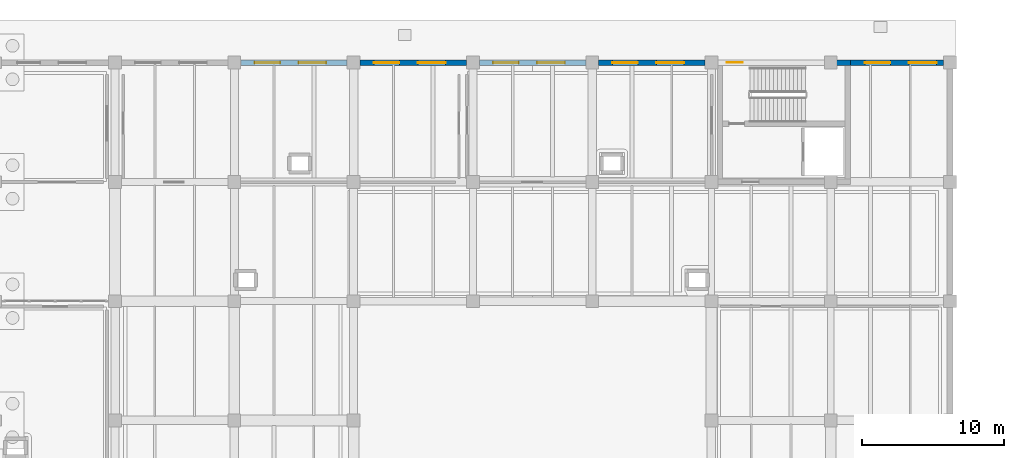
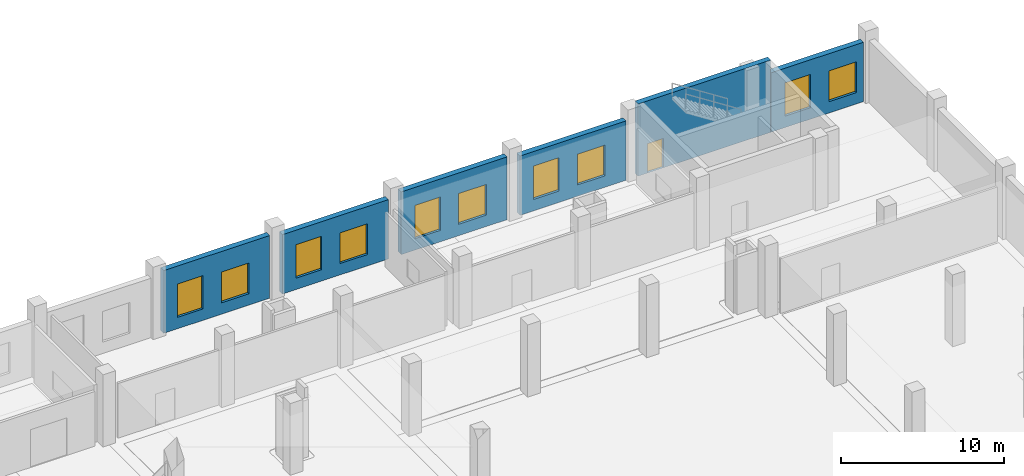
# One storey, part 49 of 65: 10 windows, 6 walls, 1 door, 11 openings.
"""IFC4 building model written with IfcOpenShell, lengths in metres."""

from ifc_helpers import new_model, si_unit, direction, frame, frame_2d, origin, place, context, subcontext, project, spatial, rectangle, extrude, material, layer, layer_set, type_object, element, fill, save


model = new_model("IFC4")

# Units and contexts
model_context = context("Model", 3, precision=1e-05, world=origin(), true_north=direction((0.0, 1.0)))
body_context = subcontext(model_context, "Body", "Model", "MODEL_VIEW")
ifc_project = project(units=[si_unit("LENGTHUNIT", "METRE"), si_unit("AREAUNIT", "SQUARE_METRE"), si_unit("VOLUMEUNIT", "CUBIC_METRE"), si_unit("PLANEANGLEUNIT", "RADIAN"), si_unit("MASSUNIT", "GRAM", prefix="KILO")], contexts=[model_context])

# Site, building, storey
site_placement = place(None, origin())
site = spatial("IfcSite", under=ifc_project, at=site_placement, CompositionType="ELEMENT")
building_placement = place(site_placement, origin())
building = spatial("IfcBuilding", under=site, at=building_placement, Name="Zulmaris Art Gallery", CompositionType="ELEMENT")
storey_placement = place(building_placement, origin())
storey = spatial("IfcBuildingStorey", under=building, at=storey_placement, Name="L00", CompositionType="ELEMENT", Elevation=0.0)

# Wall, openings, windows
ifc_material_1 = material(Name="Omani Desert Rose Limestone Cladding Wall", Category="masonry")
ifc_layer_1 = layer(ifc_material_1, 0.389892578125)
ifc_layer_set_1 = layer_set([ifc_layer_1], Name="Omani Desert Rose Limestone Cladding Wall")
wall_type_1 = type_object("IfcWallType", Name="ENV-WALL-EW02", PredefinedType="SOLIDWALL", material=ifc_layer_set_1)
wall_1_placement = place(storey_placement, frame((150.451904296875, 75.60009765625, 0.0), z_axis=(0.0, 0.0, 1.0), x_axis=(1.0, 0.0, 0.0)))
wall_1 = element("IfcWall", 1, at=wall_1_placement, inside=storey, type_object=wall_type_1, Name="L00 V5 North Studio Daylight Facade Bay 2", PredefinedType="SOLIDWALL", context=body_context, shape_type="SweptSolid", body=[
    extrude(rectangle(XDim=7.49609375, YDim=0.389892578125, at=frame_2d((3.748046875, 0.0))), origin(), (0.0, 0.0, 1.0), 4.68994140625),
])
opening_1_placement = place(wall_1_placement, frame((0.968017578125, 0.0, 0.85009765625)))
opening_1 = element("IfcOpeningElement", 2, at=opening_1_placement, cuts=wall_1, Name="Opening W02", PredefinedType="OPENING", context=body_context, shape_type="SweptSolid", body=[
    extrude(rectangle(XDim=1.800048828125, YDim=2.5, at=frame_2d((0.89990234375, 1.25))), frame((0.0, 0.204833984375, 0.0), z_axis=(0.0, -1.0, 0.0), x_axis=(1.0, 0.0, 0.0)), (0.0, 0.0, 1.0), 0.409912109375),
])
opening_2_placement = place(wall_1_placement, frame((4.068115234375, 0.0, 0.85009765625)))
opening_2 = element("IfcOpeningElement", 3, at=opening_2_placement, cuts=wall_1, Name="Opening W08", PredefinedType="OPENING", context=body_context, shape_type="SweptSolid", body=[
    extrude(rectangle(XDim=1.949951171875, YDim=2.300048828125, at=frame_2d((0.97509765625, 1.14990234375))), frame((0.0, 0.204833984375, 0.0), z_axis=(0.0, -1.0, 0.0), x_axis=(1.0, 0.0, 0.0)), (0.0, 0.0, 1.0), 0.409912109375),
])
ifc_material_2 = material(Name="Double-Glazed Solar-Control Low-E Window", Category="glass")
window_type_1 = type_object("IfcWindowType", Name="WIN-W02", PartitioningType="SINGLE_PANEL", PredefinedType="WINDOW", material=ifc_material_2)
window_1_placement = place(opening_1_placement, origin())
window_1 = element("IfcWindow", 4, at=window_1_placement, inside=storey, type_object=window_type_1, Name="L00 exterior window W02", OverallHeight=2.5, OverallWidth=1.800048828125, PartitioningType="SINGLE_PANEL", PredefinedType="WINDOW", context=body_context, shape_type="SweptSolid", body=[
    extrude(rectangle(XDim=1.800048828125, YDim=2.5, at=frame_2d((0.89990234375, 1.25))), frame((0.0, 0.030029296875, 0.0), z_axis=(0.0, -1.0, 0.0), x_axis=(1.0, 0.0, 0.0)), (0.0, 0.0, 1.0), 0.06005859375),
])
fill(opening_1, window_1)
ifc_material_3 = material(Name="Curatorial North Studio Window", Category="glass")
window_type_2 = type_object("IfcWindowType", Name="WIN-W08", PartitioningType="SINGLE_PANEL", PredefinedType="WINDOW", material=ifc_material_3)
window_2_placement = place(opening_2_placement, origin())
window_2 = element("IfcWindow", 5, at=window_2_placement, inside=storey, type_object=window_type_2, Name="L00 exterior window W08", OverallHeight=2.300048828125, OverallWidth=1.949951171875, PartitioningType="SINGLE_PANEL", PredefinedType="WINDOW", context=body_context, shape_type="SweptSolid", body=[
    extrude(rectangle(XDim=1.949951171875, YDim=2.300048828125, at=frame_2d((0.97509765625, 1.14990234375))), frame((0.0, 0.030029296875, 0.0), z_axis=(0.0, -1.0, 0.0), x_axis=(1.0, 0.0, 0.0)), (0.0, 0.0, 1.0), 0.06005859375),
])
fill(opening_2, window_2)

wall_2_placement = place(storey_placement, frame((158.85205078125, 75.60009765625, 0.0), z_axis=(0.0, 0.0, 1.0), x_axis=(1.0, 0.0, 0.0)))
wall_2 = element("IfcWall", 6, at=wall_2_placement, inside=storey, type_object=wall_type_1, Name="L00 V5 North Studio Daylight Facade Bay 3", PredefinedType="SOLIDWALL", context=body_context, shape_type="SweptSolid", body=[
    extrude(rectangle(XDim=7.495849609375, YDim=0.389892578125, at=frame_2d((3.748046875, 0.0))), origin(), (0.0, 0.0, 1.0), 4.43994140625),
])
opening_3_placement = place(wall_2_placement, frame((0.968017578125, 0.0, 0.85009765625)))
opening_3 = element("IfcOpeningElement", 7, at=opening_3_placement, cuts=wall_2, Name="Opening W02", PredefinedType="OPENING", context=body_context, shape_type="SweptSolid", body=[
    extrude(rectangle(XDim=1.800048828125, YDim=2.5, at=frame_2d((0.89990234375, 1.25))), frame((0.0, 0.204833984375, 0.0), z_axis=(0.0, -1.0, 0.0), x_axis=(1.0, 0.0, 0.0)), (0.0, 0.0, 1.0), 0.409912109375),
])
opening_4_placement = place(wall_2_placement, frame((4.068115234375, 0.0, 0.85009765625)))
opening_4 = element("IfcOpeningElement", 8, at=opening_4_placement, cuts=wall_2, Name="Opening W08", PredefinedType="OPENING", context=body_context, shape_type="SweptSolid", body=[
    extrude(rectangle(XDim=1.949951171875, YDim=2.300048828125, at=frame_2d((0.97509765625, 1.14990234375))), frame((0.0, 0.204833984375, 0.0), z_axis=(0.0, -1.0, 0.0), x_axis=(1.0, 0.0, 0.0)), (0.0, 0.0, 1.0), 0.409912109375),
])
window_3_placement = place(opening_3_placement, origin())
window_3 = element("IfcWindow", 9, at=window_3_placement, inside=storey, type_object=window_type_1, Name="L00 exterior window W02", OverallHeight=2.5, OverallWidth=1.800048828125, PartitioningType="SINGLE_PANEL", PredefinedType="WINDOW", context=body_context, shape_type="SweptSolid", body=[
    extrude(rectangle(XDim=1.800048828125, YDim=2.5, at=frame_2d((0.89990234375, 1.25))), frame((0.0, 0.030029296875, 0.0), z_axis=(0.0, -1.0, 0.0), x_axis=(1.0, 0.0, 0.0)), (0.0, 0.0, 1.0), 0.06005859375),
])
fill(opening_3, window_3)
window_4_placement = place(opening_4_placement, origin())
window_4 = element("IfcWindow", 10, at=window_4_placement, inside=storey, type_object=window_type_2, Name="L00 exterior window W08", OverallHeight=2.300048828125, OverallWidth=1.949951171875, PartitioningType="SINGLE_PANEL", PredefinedType="WINDOW", context=body_context, shape_type="SweptSolid", body=[
    extrude(rectangle(XDim=1.949951171875, YDim=2.300048828125, at=frame_2d((0.97509765625, 1.14990234375))), frame((0.0, 0.030029296875, 0.0), z_axis=(0.0, -1.0, 0.0), x_axis=(1.0, 0.0, 0.0)), (0.0, 0.0, 1.0), 0.06005859375),
])
fill(opening_4, window_4)

wall_3_placement = place(storey_placement, frame((167.251953125, 75.60009765625, 0.0), z_axis=(0.0, 0.0, 1.0), x_axis=(1.0, 0.0, 0.0)))
wall_3 = element("IfcWall", 11, at=wall_3_placement, inside=storey, type_object=wall_type_1, Name="L00 V5 North Studio Daylight Facade Bay 4", PredefinedType="SOLIDWALL", context=body_context, shape_type="SweptSolid", body=[
    extrude(rectangle(XDim=7.49609375, YDim=0.389892578125, at=frame_2d((3.748046875, 0.0))), origin(), (0.0, 0.0, 1.0), 4.68994140625),
])
opening_5_placement = place(wall_3_placement, frame((0.968017578125, 0.0, 0.85009765625)))
opening_5 = element("IfcOpeningElement", 12, at=opening_5_placement, cuts=wall_3, Name="Opening W02", PredefinedType="OPENING", context=body_context, shape_type="SweptSolid", body=[
    extrude(rectangle(XDim=1.800048828125, YDim=2.5, at=frame_2d((0.89990234375, 1.25))), frame((0.0, 0.204833984375, 0.0), z_axis=(0.0, -1.0, 0.0), x_axis=(1.0, 0.0, 0.0)), (0.0, 0.0, 1.0), 0.409912109375),
])
opening_6_placement = place(wall_3_placement, frame((4.068115234375, 0.0, 0.85009765625)))
opening_6 = element("IfcOpeningElement", 13, at=opening_6_placement, cuts=wall_3, Name="Opening W08", PredefinedType="OPENING", context=body_context, shape_type="SweptSolid", body=[
    extrude(rectangle(XDim=1.949951171875, YDim=2.300048828125, at=frame_2d((0.97509765625, 1.14990234375))), frame((0.0, 0.204833984375, 0.0), z_axis=(0.0, -1.0, 0.0), x_axis=(1.0, 0.0, 0.0)), (0.0, 0.0, 1.0), 0.409912109375),
])
window_5_placement = place(opening_5_placement, origin())
window_5 = element("IfcWindow", 14, at=window_5_placement, inside=storey, type_object=window_type_1, Name="L00 exterior window W02", OverallHeight=2.5, OverallWidth=1.800048828125, PartitioningType="SINGLE_PANEL", PredefinedType="WINDOW", context=body_context, shape_type="SweptSolid", body=[
    extrude(rectangle(XDim=1.800048828125, YDim=2.5, at=frame_2d((0.89990234375, 1.25))), frame((0.0, 0.030029296875, 0.0), z_axis=(0.0, -1.0, 0.0), x_axis=(1.0, 0.0, 0.0)), (0.0, 0.0, 1.0), 0.06005859375),
])
fill(opening_5, window_5)
window_6_placement = place(opening_6_placement, origin())
window_6 = element("IfcWindow", 15, at=window_6_placement, inside=storey, type_object=window_type_2, Name="L00 exterior window W08", OverallHeight=2.300048828125, OverallWidth=1.949951171875, PartitioningType="SINGLE_PANEL", PredefinedType="WINDOW", context=body_context, shape_type="SweptSolid", body=[
    extrude(rectangle(XDim=1.949951171875, YDim=2.300048828125, at=frame_2d((0.97509765625, 1.14990234375))), frame((0.0, 0.030029296875, 0.0), z_axis=(0.0, -1.0, 0.0), x_axis=(1.0, 0.0, 0.0)), (0.0, 0.0, 1.0), 0.06005859375),
])
fill(opening_6, window_6)

wall_4_placement = place(storey_placement, frame((175.652099609375, 75.60009765625, 0.0), z_axis=(0.0, 0.0, 1.0), x_axis=(1.0, 0.0, 0.0)))
wall_4 = element("IfcWall", 16, at=wall_4_placement, inside=storey, type_object=wall_type_1, Name="L00 V5 North Studio Daylight Facade Bay 5", PredefinedType="SOLIDWALL", context=body_context, shape_type="SweptSolid", body=[
    extrude(rectangle(XDim=7.495849609375, YDim=0.389892578125, at=frame_2d((3.748046875, 0.0))), origin(), (0.0, 0.0, 1.0), 4.43994140625),
])
opening_7_placement = place(wall_4_placement, frame((0.968017578125, 0.0, 0.85009765625)))
opening_7 = element("IfcOpeningElement", 17, at=opening_7_placement, cuts=wall_4, Name="Opening W02", PredefinedType="OPENING", context=body_context, shape_type="SweptSolid", body=[
    extrude(rectangle(XDim=1.800048828125, YDim=2.5, at=frame_2d((0.89990234375, 1.25))), frame((0.0, 0.204833984375, 0.0), z_axis=(0.0, -1.0, 0.0), x_axis=(1.0, 0.0, 0.0)), (0.0, 0.0, 1.0), 0.409912109375),
])
opening_8_placement = place(wall_4_placement, frame((4.068115234375, 0.0, 0.85009765625)))
opening_8 = element("IfcOpeningElement", 18, at=opening_8_placement, cuts=wall_4, Name="Opening W08", PredefinedType="OPENING", context=body_context, shape_type="SweptSolid", body=[
    extrude(rectangle(XDim=1.949951171875, YDim=2.300048828125, at=frame_2d((0.97509765625, 1.14990234375))), frame((0.0, 0.204833984375, 0.0), z_axis=(0.0, -1.0, 0.0), x_axis=(1.0, 0.0, 0.0)), (0.0, 0.0, 1.0), 0.409912109375),
])
window_7_placement = place(opening_7_placement, origin())
window_7 = element("IfcWindow", 19, at=window_7_placement, inside=storey, type_object=window_type_1, Name="L00 exterior window W02", OverallHeight=2.5, OverallWidth=1.800048828125, PartitioningType="SINGLE_PANEL", PredefinedType="WINDOW", context=body_context, shape_type="SweptSolid", body=[
    extrude(rectangle(XDim=1.800048828125, YDim=2.5, at=frame_2d((0.89990234375, 1.25))), frame((0.0, 0.030029296875, 0.0), z_axis=(0.0, -1.0, 0.0), x_axis=(1.0, 0.0, 0.0)), (0.0, 0.0, 1.0), 0.06005859375),
])
fill(opening_7, window_7)
window_8_placement = place(opening_8_placement, origin())
window_8 = element("IfcWindow", 20, at=window_8_placement, inside=storey, type_object=window_type_2, Name="L00 exterior window W08", OverallHeight=2.300048828125, OverallWidth=1.949951171875, PartitioningType="SINGLE_PANEL", PredefinedType="WINDOW", context=body_context, shape_type="SweptSolid", body=[
    extrude(rectangle(XDim=1.949951171875, YDim=2.300048828125, at=frame_2d((0.97509765625, 1.14990234375))), frame((0.0, 0.030029296875, 0.0), z_axis=(0.0, -1.0, 0.0), x_axis=(1.0, 0.0, 0.0)), (0.0, 0.0, 1.0), 0.06005859375),
])
fill(opening_8, window_8)

wall_5_placement = place(storey_placement, frame((193.39208984375, 75.60009765625, 0.0), z_axis=(0.0, 0.0, 1.0), x_axis=(1.0, 0.0, 0.0)))
wall_5 = element("IfcWall", 21, at=wall_5_placement, inside=storey, type_object=wall_type_1, Name="L00 V5 North Studio Daylight Facade Bay 7", PredefinedType="SOLIDWALL", context=body_context, shape_type="SweptSolid", body=[
    extrude(rectangle(XDim=6.555908203125, YDim=0.389892578125, at=frame_2d((3.27783203125, 0.0))), origin(), (0.0, 0.0, 1.0), 4.43994140625),
])
opening_9_placement = place(wall_5_placement, frame((1.008056640625, 0.0, 0.85009765625)))
opening_9 = element("IfcOpeningElement", 22, at=opening_9_placement, cuts=wall_5, Name="Opening W02", PredefinedType="OPENING", context=body_context, shape_type="SweptSolid", body=[
    extrude(rectangle(XDim=1.800048828125, YDim=2.5, at=frame_2d((0.89990234375, 1.25))), frame((0.0, 0.204833984375, 0.0), z_axis=(0.0, -1.0, 0.0), x_axis=(1.0, 0.0, 0.0)), (0.0, 0.0, 1.0), 0.409912109375),
])
opening_10_placement = place(wall_5_placement, frame((4.10791015625, 0.0, 0.85009765625)))
opening_10 = element("IfcOpeningElement", 23, at=opening_10_placement, cuts=wall_5, Name="Opening W08", PredefinedType="OPENING", context=body_context, shape_type="SweptSolid", body=[
    extrude(rectangle(XDim=1.949951171875, YDim=2.300048828125, at=frame_2d((0.97509765625, 1.14990234375))), frame((0.0, 0.204833984375, 0.0), z_axis=(0.0, -1.0, 0.0), x_axis=(1.0, 0.0, 0.0)), (0.0, 0.0, 1.0), 0.409912109375),
])
window_9_placement = place(opening_9_placement, origin())
window_9 = element("IfcWindow", 24, at=window_9_placement, inside=storey, type_object=window_type_1, Name="L00 exterior window W02", OverallHeight=2.5, OverallWidth=1.800048828125, PartitioningType="SINGLE_PANEL", PredefinedType="WINDOW", context=body_context, shape_type="SweptSolid", body=[
    extrude(rectangle(XDim=1.800048828125, YDim=2.5, at=frame_2d((0.89990234375, 1.25))), frame((0.0, 0.030029296875, 0.0), z_axis=(0.0, -1.0, 0.0), x_axis=(1.0, 0.0, 0.0)), (0.0, 0.0, 1.0), 0.06005859375),
])
fill(opening_9, window_9)
window_10_placement = place(opening_10_placement, origin())
window_10 = element("IfcWindow", 25, at=window_10_placement, inside=storey, type_object=window_type_2, Name="L00 exterior window W08", OverallHeight=2.300048828125, OverallWidth=1.949951171875, PartitioningType="SINGLE_PANEL", PredefinedType="WINDOW", context=body_context, shape_type="SweptSolid", body=[
    extrude(rectangle(XDim=1.949951171875, YDim=2.300048828125, at=frame_2d((0.97509765625, 1.14990234375))), frame((0.0, 0.030029296875, 0.0), z_axis=(0.0, -1.0, 0.0), x_axis=(1.0, 0.0, 0.0)), (0.0, 0.0, 1.0), 0.06005859375),
])
fill(opening_10, window_10)

# Wall, opening, door
ifc_material_4 = material(Name="Concrete C50/60", Category="concrete")
ifc_layer_2 = layer(ifc_material_4, 0.3798828125)
ifc_layer_set_2 = layer_set([ifc_layer_2], Name="Concrete C50/60")
wall_type_2 = type_object("IfcWallType", Name="STR-WALL-SW02", PredefinedType="SHEAR", material=ifc_layer_set_2)
wall_6_placement = place(storey_placement, frame((184.010009765625, 75.60009765625, 0.0), z_axis=(0.0, 0.0, 1.0), x_axis=(1.0, 0.0, 0.0)))
wall_6 = element("IfcWall", 26, at=wall_6_placement, inside=storey, type_object=wall_type_2, Name="Core C4 L00 N shear wall", PredefinedType="SHEAR", context=body_context, shape_type="SweptSolid", body=[
    extrude(rectangle(XDim=9.3798828125, YDim=0.3798828125, at=frame_2d((4.68994140625, 0.0))), origin(), (0.0, 0.0, 1.0), 5.39990234375),
])
opening_11_placement = place(wall_6_placement, frame((0.64990234375, 0.0, 0.0)))
opening_11 = element("IfcOpeningElement", 27, at=opening_11_placement, cuts=wall_6, Name="Opening ED02", PredefinedType="OPENING", context=body_context, shape_type="SweptSolid", body=[
    extrude(rectangle(XDim=1.14990234375, YDim=2.199951171875, at=frame_2d((0.574951171875, 1.10009765625))), frame((0.0, 0.199951171875, 0.0), z_axis=(0.0, -1.0, 0.0), x_axis=(1.0, 0.0, 0.0)), (0.0, 0.0, 1.0), 0.39990234375),
])
ifc_material_5 = material(Name="Fire Exit Discharge Door", Category="steel")
door_type = type_object("IfcDoorType", Name="EDOOR-ED02", OperationType="SINGLE_SWING_LEFT", PredefinedType="DOOR", material=ifc_material_5)
door_placement = place(opening_11_placement, origin())
door = element("IfcDoor", 28, at=door_placement, inside=storey, type_object=door_type, Name="Core C4 ST4 Ground Exit Discharge Door", OperationType="SINGLE_SWING_LEFT", OverallHeight=2.199951171875, OverallWidth=1.14990234375, PredefinedType="DOOR", context=body_context, shape_type="SweptSolid", body=[
    extrude(rectangle(XDim=1.14990234375, YDim=2.199951171875, at=frame_2d((0.574951171875, 1.10009765625))), frame((0.0, 0.02490234375, 0.0), z_axis=(0.0, -1.0, 0.0), x_axis=(1.0, 0.0, 0.0)), (0.0, 0.0, 1.0), 0.050048828125),
])
fill(opening_11, door)

save(model, "model.ifc")
